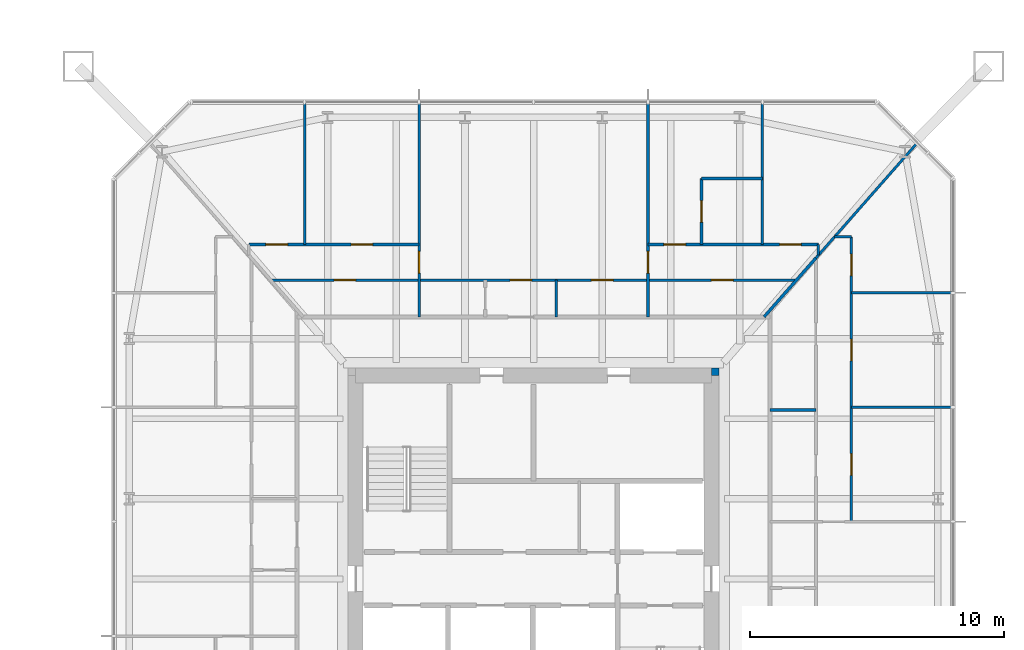
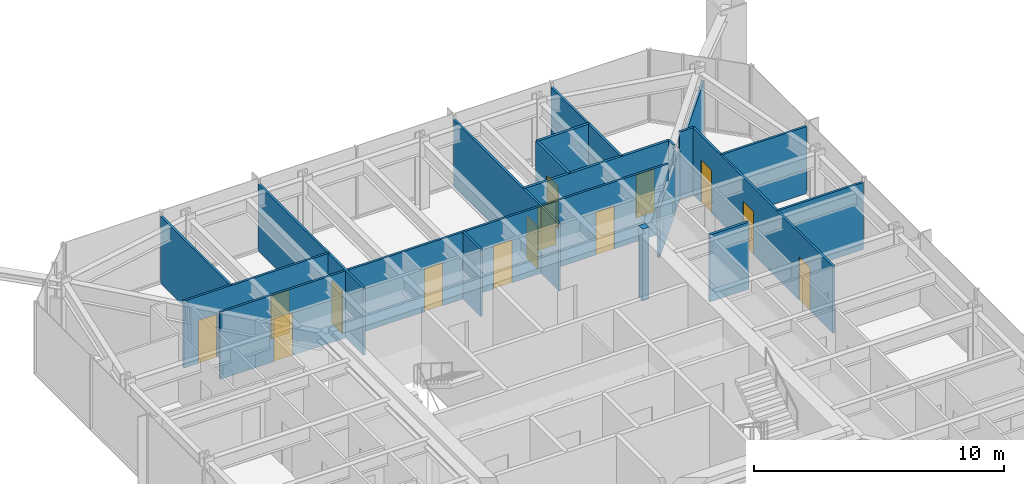
# One storey, part 21 of 26: 19 walls, 14 doors, 14 openings.
"""IFC4 building model written with IfcOpenShell, lengths in metres."""

from ifc_helpers import new_model, si_unit, direction, frame, frame_2d, origin, place, context, subcontext, project, spatial, rectangle, extrude, material, layer, layer_set, type_object, element, fill, save


model = new_model("IFC4")

# Units and contexts
model_context = context("Model", 3, precision=1e-05, world=origin(), true_north=direction((0.0, 1.0)))
body_context = subcontext(model_context, "Body", "Model", "MODEL_VIEW")
ifc_project = project(units=[si_unit("LENGTHUNIT", "METRE"), si_unit("AREAUNIT", "SQUARE_METRE"), si_unit("VOLUMEUNIT", "CUBIC_METRE"), si_unit("PLANEANGLEUNIT", "RADIAN"), si_unit("MASSUNIT", "GRAM", prefix="KILO")], contexts=[model_context])

# Site, building, storey
site_placement = place(None, origin())
site = spatial("IfcSite", under=ifc_project, at=site_placement, CompositionType="ELEMENT")
building_placement = place(site_placement, origin())
building = spatial("IfcBuilding", under=site, at=building_placement, Name="Iwan Alto Co-Living Towers", CompositionType="ELEMENT")
storey_placement = place(building_placement, frame((0.0, 0.0, 29.0)))
storey = spatial("IfcBuildingStorey", under=building, at=storey_placement, Name="L07", CompositionType="ELEMENT", Elevation=29.0)

# Walls
ifc_material_1 = material(Name="Gypsum board")
ifc_layer_1 = layer(ifc_material_1, 0.012451171875, Name="Board", Category="Finish")
ifc_material_2 = material(Name="Steel ASTM A1003 ST33H cold-formed studs", Category="steel")
ifc_layer_2 = layer(ifc_material_2, 0.074951171875, Name="Studs", Category="Framing")
ifc_layer_3 = layer(ifc_material_1, 0.012451171875, Name="Board", Category="Finish")
ifc_layer_set_1 = layer_set([ifc_layer_1, ifc_layer_2, ifc_layer_3], Name="PARTITION 100")
wall_type_1 = type_object("IfcWallType", Name="PARTITION 100", PredefinedType="PARTITIONING", material=ifc_layer_set_1)
for number, where, z_axis, x_axis, name in (
    (1, (75.5, 6.75, 0.0), (0.0, 0.0, 1.0), (1.0, 0.0, 0.0), "Partition L07"),
    (2, (75.5, 11.25, 0.0), (0.0, 0.0, 1.0), (1.0, 0.0, 0.0), "Partition L07"),
):
    element("IfcWall", number, at=place(storey_placement, frame(where, z_axis=z_axis, x_axis=x_axis)), inside=storey, type_object=wall_type_1, Name=name, PredefinedType="PARTITIONING", context=body_context, shape_type="SweptSolid", body=[
        extrude(rectangle(XDim=3.93994140625, YDim=0.10009765625, at=frame_2d((1.969970703125, 0.0))), origin(), (0.0, 0.0, 1.0), 3.27001953125),
    ])

# Wall, openings, doors
wall_1_placement = place(storey_placement, frame((52.659912109375, 11.75, 0.0), z_axis=(0.0, 0.0, 1.0), x_axis=(1.0, 0.0, 0.0)))
wall_1 = element("IfcWall", 3, at=wall_1_placement, inside=storey, type_object=wall_type_1, Name="Partition L07", PredefinedType="PARTITIONING", context=body_context, shape_type="SweptSolid", body=[
    extrude(rectangle(XDim=20.68017578125, YDim=0.10009765625, at=frame_2d((10.340087890625, 0.0))), origin(), (0.0, 0.0, 1.0), 3.27001953125),
])
opening_1_placement = place(wall_1_placement, frame((12.614990234375, 0.0, 0.0)))
opening_1 = element("IfcOpeningElement", 4, at=opening_1_placement, cuts=wall_1, Name="Opening D2", PredefinedType="OPENING", context=body_context, shape_type="SweptSolid", body=[
    extrude(rectangle(XDim=0.85009765625, YDim=2.10009765625, at=frame_2d((0.425048828125, 1.050048828125))), frame((0.0, 0.06005859375, 0.0), z_axis=(0.0, -1.0, 0.0), x_axis=(1.0, 0.0, 0.0)), (0.0, 0.0, 1.0), 0.1201171875),
])
opening_2_placement = place(wall_1_placement, frame((9.4150390625, 0.0, 0.0)))
opening_2 = element("IfcOpeningElement", 5, at=opening_2_placement, cuts=wall_1, Name="Opening D2", PredefinedType="OPENING", context=body_context, shape_type="SweptSolid", body=[
    extrude(rectangle(XDim=0.85009765625, YDim=2.10009765625, at=frame_2d((0.425048828125, 1.050048828125))), frame((0.0, 0.06005859375, 0.0), z_axis=(0.0, -1.0, 0.0), x_axis=(1.0, 0.0, 0.0)), (0.0, 0.0, 1.0), 0.1201171875),
])
opening_3_placement = place(wall_1_placement, frame((17.3349609375, 0.0, 0.0)))
opening_3 = element("IfcOpeningElement", 6, at=opening_3_placement, cuts=wall_1, Name="Opening D2", PredefinedType="OPENING", context=body_context, shape_type="SweptSolid", body=[
    extrude(rectangle(XDim=0.85009765625, YDim=2.10009765625, at=frame_2d((0.425048828125, 1.050048828125))), frame((0.0, 0.06005859375, 0.0), z_axis=(0.0, -1.0, 0.0), x_axis=(1.0, 0.0, 0.0)), (0.0, 0.0, 1.0), 0.1201171875),
])
opening_4_placement = place(wall_1_placement, frame((2.4951171875, 0.0, 0.0)))
opening_4 = element("IfcOpeningElement", 7, at=opening_4_placement, cuts=wall_1, Name="Opening D2", PredefinedType="OPENING", context=body_context, shape_type="SweptSolid", body=[
    extrude(rectangle(XDim=0.85009765625, YDim=2.10009765625, at=frame_2d((0.425048828125, 1.050048828125))), frame((0.0, 0.06005859375, 0.0), z_axis=(0.0, -1.0, 0.0), x_axis=(1.0, 0.0, 0.0)), (0.0, 0.0, 1.0), 0.1201171875),
])
ifc_material_3 = material(Name="Timber leaf in steel frame", Category="steel")
door_type = type_object("IfcDoorType", Name="ROOM DOOR 850X2100", OperationType="SINGLE_SWING_LEFT", PredefinedType="DOOR", material=ifc_material_3)
door_1_placement = place(opening_1_placement, origin())
door_1 = element("IfcDoor", 8, at=door_1_placement, inside=storey, type_object=door_type, Name="Kitchen door L07", OperationType="SINGLE_SWING_RIGHT", OverallHeight=2.10009765625, OverallWidth=0.85009765625, PredefinedType="DOOR", context=body_context, shape_type="SweptSolid", body=[
    extrude(rectangle(XDim=0.85009765625, YDim=2.10009765625, at=frame_2d((0.425048828125, 1.050048828125))), frame((0.0, 0.02490234375, 0.0), z_axis=(0.0, -1.0, 0.0), x_axis=(1.0, 0.0, 0.0)), (0.0, 0.0, 1.0), 0.050048828125),
])
fill(opening_1, door_1)
door_2_placement = place(opening_2_placement, origin())
door_2 = element("IfcDoor", 9, at=door_2_placement, inside=storey, type_object=door_type, Name="Apartment foyer door L07", OperationType="SINGLE_SWING_LEFT", OverallHeight=2.10009765625, OverallWidth=0.85009765625, PredefinedType="DOOR", context=body_context, shape_type="SweptSolid", body=[
    extrude(rectangle(XDim=0.85009765625, YDim=2.10009765625, at=frame_2d((0.425048828125, 1.050048828125))), frame((0.0, 0.02490234375, 0.0), z_axis=(0.0, -1.0, 0.0), x_axis=(1.0, 0.0, 0.0)), (0.0, 0.0, 1.0), 0.050048828125),
])
fill(opening_2, door_2)
door_3_placement = place(opening_3_placement, frame((0.85009765625, 0.0, 0.0), z_axis=(0.0, 0.0, 1.0), x_axis=(-1.0, 0.0, 0.0)))
door_3 = element("IfcDoor", 10, at=door_3_placement, inside=storey, type_object=door_type, Name="Utility room door L07", OperationType="SINGLE_SWING_LEFT", OverallHeight=2.10009765625, OverallWidth=0.85009765625, PredefinedType="DOOR", context=body_context, shape_type="SweptSolid", body=[
    extrude(rectangle(XDim=0.85009765625, YDim=2.10009765625, at=frame_2d((0.425048828125, 1.050048828125))), frame((0.0, 0.02490234375, 0.0), z_axis=(0.0, -1.0, 0.0), x_axis=(1.0, 0.0, 0.0)), (0.0, 0.0, 1.0), 0.050048828125),
])
fill(opening_3, door_3)
door_4_placement = place(opening_4_placement, frame((0.85009765625, 0.0, 0.0), z_axis=(0.0, 0.0, 1.0), x_axis=(-1.0, 0.0, 0.0)))
door_4 = element("IfcDoor", 11, at=door_4_placement, inside=storey, type_object=door_type, Name="Utility room door L07", OperationType="SINGLE_SWING_RIGHT", OverallHeight=2.10009765625, OverallWidth=0.85009765625, PredefinedType="DOOR", context=body_context, shape_type="SweptSolid", body=[
    extrude(rectangle(XDim=0.85009765625, YDim=2.10009765625, at=frame_2d((0.425048828125, 1.050048828125))), frame((0.0, 0.02490234375, 0.0), z_axis=(0.0, -1.0, 0.0), x_axis=(1.0, 0.0, 0.0)), (0.0, 0.0, 1.0), 0.050048828125),
])
fill(opening_4, door_4)

wall_2_placement = place(storey_placement, frame((51.800048828125, 13.14990234375, 0.0), z_axis=(0.0, 0.0, 1.0), x_axis=(1.0, 0.0, 0.0)))
wall_2 = element("IfcWall", 12, at=wall_2_placement, inside=storey, type_object=wall_type_1, Name="Partition L07", PredefinedType="PARTITIONING", context=body_context, shape_type="SweptSolid", body=[
    extrude(rectangle(XDim=6.699951171875, YDim=0.10009765625, at=frame_2d((3.35009765625, 0.0))), origin(), (0.0, 0.0, 1.0), 3.27001953125),
])
opening_5_placement = place(wall_2_placement, frame((4.02490234375, 0.0, 0.0)))
opening_5 = element("IfcOpeningElement", 13, at=opening_5_placement, cuts=wall_2, Name="Opening D2", PredefinedType="OPENING", context=body_context, shape_type="SweptSolid", body=[
    extrude(rectangle(XDim=0.85009765625, YDim=2.10009765625, at=frame_2d((0.425048828125, 1.050048828125))), frame((0.0, 0.06005859375, 0.0), z_axis=(0.0, -1.0, 0.0), x_axis=(1.0, 0.0, 0.0)), (0.0, 0.0, 1.0), 0.1201171875),
])
opening_6_placement = place(wall_2_placement, frame((0.675048828125, 0.0, 0.0)))
opening_6 = element("IfcOpeningElement", 14, at=opening_6_placement, cuts=wall_2, Name="Opening D2", PredefinedType="OPENING", context=body_context, shape_type="SweptSolid", body=[
    extrude(rectangle(XDim=0.85009765625, YDim=2.10009765625, at=frame_2d((0.425048828125, 1.050048828125))), frame((0.0, 0.06005859375, 0.0), z_axis=(0.0, -1.0, 0.0), x_axis=(1.0, 0.0, 0.0)), (0.0, 0.0, 1.0), 0.1201171875),
])
door_5_placement = place(opening_5_placement, origin())
door_5 = element("IfcDoor", 15, at=door_5_placement, inside=storey, type_object=door_type, Name="Study door L07", OperationType="SINGLE_SWING_LEFT", OverallHeight=2.10009765625, OverallWidth=0.85009765625, PredefinedType="DOOR", context=body_context, shape_type="SweptSolid", body=[
    extrude(rectangle(XDim=0.85009765625, YDim=2.10009765625, at=frame_2d((0.425048828125, 1.050048828125))), frame((0.0, 0.02490234375, 0.0), z_axis=(0.0, -1.0, 0.0), x_axis=(1.0, 0.0, 0.0)), (0.0, 0.0, 1.0), 0.050048828125),
])
fill(opening_5, door_5)
door_6_placement = place(opening_6_placement, origin())
door_6 = element("IfcDoor", 16, at=door_6_placement, inside=storey, type_object=door_type, Name="Bedroom door L07", OperationType="SINGLE_SWING_RIGHT", OverallHeight=2.10009765625, OverallWidth=0.85009765625, PredefinedType="DOOR", context=body_context, shape_type="SweptSolid", body=[
    extrude(rectangle(XDim=0.85009765625, YDim=2.10009765625, at=frame_2d((0.425048828125, 1.050048828125))), frame((0.0, 0.02490234375, 0.0), z_axis=(0.0, -1.0, 0.0), x_axis=(1.0, 0.0, 0.0)), (0.0, 0.0, 1.0), 0.050048828125),
])
fill(opening_6, door_6)

# Walls
wall_3_placement = place(storey_placement, frame((74.8359375, 13.449951171875, 0.0), z_axis=(0.0, 0.0, 1.0), x_axis=(1.0, 0.0, 0.0)))
element("IfcWall", 17, at=wall_3_placement, inside=storey, type_object=wall_type_1, Name="Partition L07", PredefinedType="PARTITIONING", context=body_context, shape_type="SweptSolid", body=[
    extrude(rectangle(XDim=0.6640625, YDim=0.10009765625, at=frame_2d((0.33203125, 0.0))), origin(), (0.0, 0.0, 1.0), 3.27001953125),
])
wall_4_placement = place(storey_placement, frame((74.10009765625, 12.614013671875, 0.0), z_axis=(0.0, 0.0, 1.0), x_axis=(0.660755619739, 0.750601099775, 0.0)))
element("IfcWall", 18, at=wall_4_placement, inside=storey, type_object=wall_type_1, Name="Partition L07", PredefinedType="PARTITIONING", context=body_context, shape_type="SweptSolid", body=[
    extrude(rectangle(XDim=5.989013671875, YDim=0.10009765625, at=frame_2d((2.99462890625, 0.0))), origin(), (0.0, 0.0, 1.0), 2.42919921875),
])

# Wall, openings, doors
wall_5_placement = place(storey_placement, frame((75.5, 2.25, 0.0), z_axis=(0.0, 0.0, 1.0), x_axis=(0.0, 1.0, 0.0)))
wall_5 = element("IfcWall", 19, at=wall_5_placement, inside=storey, type_object=wall_type_1, Name="Partition L07", PredefinedType="PARTITIONING", context=body_context, shape_type="SweptSolid", body=[
    extrude(rectangle(XDim=11.199951171875, YDim=0.10009765625, at=frame_2d((5.60009765625, 0.0))), origin(), (0.0, 0.0, 1.0), 3.27001953125),
])
opening_7_placement = place(wall_5_placement, frame((1.824951171875, 0.0, 0.0)))
opening_7 = element("IfcOpeningElement", 20, at=opening_7_placement, cuts=wall_5, Name="Opening D2", PredefinedType="OPENING", context=body_context, shape_type="SweptSolid", body=[
    extrude(rectangle(XDim=0.85009765625, YDim=2.10009765625, at=frame_2d((0.425048828125, 1.050048828125))), frame((0.0, 0.06005859375, 0.0), z_axis=(0.0, -1.0, 0.0), x_axis=(1.0, 0.0, 0.0)), (0.0, 0.0, 1.0), 0.1201171875),
])
opening_8_placement = place(wall_5_placement, frame((6.324951171875, 0.0, 0.0)))
opening_8 = element("IfcOpeningElement", 21, at=opening_8_placement, cuts=wall_5, Name="Opening D2", PredefinedType="OPENING", context=body_context, shape_type="SweptSolid", body=[
    extrude(rectangle(XDim=0.85009765625, YDim=2.10009765625, at=frame_2d((0.425048828125, 1.050048828125))), frame((0.0, 0.06005859375, 0.0), z_axis=(0.0, -1.0, 0.0), x_axis=(1.0, 0.0, 0.0)), (0.0, 0.0, 1.0), 0.1201171875),
])
opening_9_placement = place(wall_5_placement, frame((9.675048828125, 0.0, 0.0)))
opening_9 = element("IfcOpeningElement", 22, at=opening_9_placement, cuts=wall_5, Name="Opening D2", PredefinedType="OPENING", context=body_context, shape_type="SweptSolid", body=[
    extrude(rectangle(XDim=0.85009765625, YDim=2.10009765625, at=frame_2d((0.425048828125, 1.050048828125))), frame((0.0, 0.06005859375, 0.0), z_axis=(0.0, -1.0, 0.0), x_axis=(1.0, 0.0, 0.0)), (0.0, 0.0, 1.0), 0.1201171875),
])
door_7_placement = place(opening_7_placement, frame((0.85009765625, 0.0, 0.0), z_axis=(0.0, 0.0, 1.0), x_axis=(-1.0, 0.0, 0.0)))
door_7 = element("IfcDoor", 23, at=door_7_placement, inside=storey, type_object=door_type, Name="Family room door L07", OperationType="SINGLE_SWING_RIGHT", OverallHeight=2.10009765625, OverallWidth=0.85009765625, PredefinedType="DOOR", context=body_context, shape_type="SweptSolid", body=[
    extrude(rectangle(XDim=0.85009765625, YDim=2.10009765625, at=frame_2d((0.425048828125, 1.050048828125))), frame((0.0, 0.02490234375, 0.0), z_axis=(0.0, -1.0, 0.0), x_axis=(1.0, 0.0, 0.0)), (0.0, 0.0, 1.0), 0.050048828125),
])
fill(opening_7, door_7)
door_8_placement = place(opening_8_placement, frame((0.85009765625, 0.0, 0.0), z_axis=(0.0, 0.0, 1.0), x_axis=(-1.0, 0.0, 0.0)))
door_8 = element("IfcDoor", 24, at=door_8_placement, inside=storey, type_object=door_type, Name="Bedroom door L07", OperationType="SINGLE_SWING_RIGHT", OverallHeight=2.10009765625, OverallWidth=0.85009765625, PredefinedType="DOOR", context=body_context, shape_type="SweptSolid", body=[
    extrude(rectangle(XDim=0.85009765625, YDim=2.10009765625, at=frame_2d((0.425048828125, 1.050048828125))), frame((0.0, 0.02490234375, 0.0), z_axis=(0.0, -1.0, 0.0), x_axis=(1.0, 0.0, 0.0)), (0.0, 0.0, 1.0), 0.050048828125),
])
fill(opening_8, door_8)
door_9_placement = place(opening_9_placement, frame((0.85009765625, 0.0, 0.0), z_axis=(0.0, 0.0, 1.0), x_axis=(-1.0, 0.0, 0.0)))
door_9 = element("IfcDoor", 25, at=door_9_placement, inside=storey, type_object=door_type, Name="Study door L07", OperationType="SINGLE_SWING_RIGHT", OverallHeight=2.10009765625, OverallWidth=0.85009765625, PredefinedType="DOOR", context=body_context, shape_type="SweptSolid", body=[
    extrude(rectangle(XDim=0.85009765625, YDim=2.10009765625, at=frame_2d((0.425048828125, 1.050048828125))), frame((0.0, 0.02490234375, 0.0), z_axis=(0.0, -1.0, 0.0), x_axis=(1.0, 0.0, 0.0)), (0.0, 0.0, 1.0), 0.050048828125),
])
fill(opening_9, door_9)

# Walls
wall_6_placement = place(storey_placement, frame((74.199951171875, 12.72705078125, 0.0), z_axis=(0.0, 0.0, 1.0), x_axis=(0.0, 1.0, 0.0)))
element("IfcWall", 26, at=wall_6_placement, inside=storey, type_object=wall_type_1, Name="Partition L07", PredefinedType="PARTITIONING", context=body_context, shape_type="SweptSolid", body=[
    extrude(rectangle(XDim=0.4228515625, YDim=0.10009765625, at=frame_2d((0.21142578125, 0.0))), origin(), (0.0, 0.0, 1.0), 3.27001953125),
])
wall_7_placement = place(storey_placement, frame((72.0, 13.14990234375, 0.0), z_axis=(0.0, 0.0, 1.0), x_axis=(0.0, 1.0, 0.0)))
element("IfcWall", 27, at=wall_7_placement, inside=storey, type_object=wall_type_1, Name="Partition L07", PredefinedType="PARTITIONING", context=body_context, shape_type="SweptSolid", body=[
    extrude(rectangle(XDim=5.5400390625, YDim=0.10009765625, at=frame_2d((2.77001953125, 0.0))), origin(), (0.0, 0.0, 1.0), 3.27001953125),
])

# Wall, opening, door
wall_8_placement = place(storey_placement, frame((67.5, 10.300048828125, 0.0), z_axis=(0.0, 0.0, 1.0), x_axis=(0.0, 1.0, 0.0)))
wall_8 = element("IfcWall", 28, at=wall_8_placement, inside=storey, type_object=wall_type_1, Name="Partition L07", PredefinedType="PARTITIONING", context=body_context, shape_type="SweptSolid", body=[
    extrude(rectangle(XDim=8.389892578125, YDim=0.10009765625, at=frame_2d((4.19482421875, 0.0))), origin(), (0.0, 0.0, 1.0), 3.27001953125),
])
opening_10_placement = place(wall_8_placement, frame((1.72509765625, 0.0, 0.0)))
opening_10 = element("IfcOpeningElement", 29, at=opening_10_placement, cuts=wall_8, Name="Opening D2", PredefinedType="OPENING", context=body_context, shape_type="SweptSolid", body=[
    extrude(rectangle(XDim=0.85009765625, YDim=2.10009765625, at=frame_2d((0.425048828125, 1.050048828125))), frame((0.0, 0.06005859375, 0.0), z_axis=(0.0, -1.0, 0.0), x_axis=(1.0, 0.0, 0.0)), (0.0, 0.0, 1.0), 0.1201171875),
])
door_10_placement = place(opening_10_placement, origin())
door_10 = element("IfcDoor", 30, at=door_10_placement, inside=storey, type_object=door_type, Name="Apartment hall door L07", OperationType="SINGLE_SWING_LEFT", OverallHeight=2.10009765625, OverallWidth=0.85009765625, PredefinedType="DOOR", context=body_context, shape_type="SweptSolid", body=[
    extrude(rectangle(XDim=0.85009765625, YDim=2.10009765625, at=frame_2d((0.425048828125, 1.050048828125))), frame((0.0, 0.02490234375, 0.0), z_axis=(0.0, -1.0, 0.0), x_axis=(1.0, 0.0, 0.0)), (0.0, 0.0, 1.0), 0.050048828125),
])
fill(opening_10, door_10)

# Wall
wall_9_placement = place(storey_placement, frame((63.89990234375, 10.300048828125, 0.0), z_axis=(0.0, 0.0, 1.0), x_axis=(0.0, 1.0, 0.0)))
element("IfcWall", 31, at=wall_9_placement, inside=storey, type_object=wall_type_1, Name="Partition L07", PredefinedType="PARTITIONING", context=body_context, shape_type="SweptSolid", body=[
    extrude(rectangle(XDim=1.449951171875, YDim=0.10009765625, at=frame_2d((0.72509765625, 0.0))), origin(), (0.0, 0.0, 1.0), 3.27001953125),
])

# Wall, opening, door
wall_10_placement = place(storey_placement, frame((58.5, 10.300048828125, 0.0), z_axis=(0.0, 0.0, 1.0), x_axis=(0.0, 1.0, 0.0)))
wall_10 = element("IfcWall", 32, at=wall_10_placement, inside=storey, type_object=wall_type_1, Name="Partition L07", PredefinedType="PARTITIONING", context=body_context, shape_type="SweptSolid", body=[
    extrude(rectangle(XDim=8.389892578125, YDim=0.10009765625, at=frame_2d((4.19482421875, 0.0))), origin(), (0.0, 0.0, 1.0), 3.27001953125),
])
opening_11_placement = place(wall_10_placement, frame((1.72509765625, 0.0, 0.0)))
opening_11 = element("IfcOpeningElement", 33, at=opening_11_placement, cuts=wall_10, Name="Opening D2", PredefinedType="OPENING", context=body_context, shape_type="SweptSolid", body=[
    extrude(rectangle(XDim=0.85009765625, YDim=2.10009765625, at=frame_2d((0.425048828125, 1.050048828125))), frame((0.0, 0.06005859375, 0.0), z_axis=(0.0, -1.0, 0.0), x_axis=(1.0, 0.0, 0.0)), (0.0, 0.0, 1.0), 0.1201171875),
])
door_11_placement = place(opening_11_placement, frame((0.85009765625, 0.0, 0.0), z_axis=(0.0, 0.0, 1.0), x_axis=(-1.0, 0.0, 0.0)))
door_11 = element("IfcDoor", 34, at=door_11_placement, inside=storey, type_object=door_type, Name="Apartment hall door L07", OperationType="SINGLE_SWING_RIGHT", OverallHeight=2.10009765625, OverallWidth=0.85009765625, PredefinedType="DOOR", context=body_context, shape_type="SweptSolid", body=[
    extrude(rectangle(XDim=0.85009765625, YDim=2.10009765625, at=frame_2d((0.425048828125, 1.050048828125))), frame((0.0, 0.02490234375, 0.0), z_axis=(0.0, -1.0, 0.0), x_axis=(1.0, 0.0, 0.0)), (0.0, 0.0, 1.0), 0.050048828125),
])
fill(opening_11, door_11)

# Walls
wall_11_placement = place(storey_placement, frame((54.0, 13.14990234375, 0.0), z_axis=(0.0, 0.0, 1.0), x_axis=(0.0, 1.0, 0.0)))
element("IfcWall", 35, at=wall_11_placement, inside=storey, type_object=wall_type_1, Name="Partition L07", PredefinedType="PARTITIONING", context=body_context, shape_type="SweptSolid", body=[
    extrude(rectangle(XDim=5.5400390625, YDim=0.10009765625, at=frame_2d((2.77001953125, 0.0))), origin(), (0.0, 0.0, 1.0), 3.27001953125),
])
ifc_material_4 = material(Name="Concrete f'c 70 MPa", Category="concrete")
ifc_layer_4 = layer(ifc_material_4, 0.300048828125)
ifc_layer_set_2 = layer_set([ifc_layer_4], Name="T2 CORE CORNER FILL 300")
wall_type_2 = type_object("IfcWallType", Name="T2 CORE CORNER FILL 300", PredefinedType="SOLIDWALL", material=ifc_layer_set_2)
wall_12_placement = place(storey_placement, frame((70.0, 8.14990234375, 0.0), z_axis=(0.0, 0.0, 1.0), x_axis=(1.0, 0.0, 0.0)))
element("IfcWall", 36, at=wall_12_placement, inside=storey, type_object=wall_type_2, Name="T2 core corner NE L07", PredefinedType="SOLIDWALL", context=body_context, shape_type="SweptSolid", body=[
    extrude(rectangle(XDim=0.300048828125, YDim=0.300048828125, at=frame_2d((0.14990234375, 0.0))), origin(), (0.0, 0.0, 1.0), 3.5),
])
ifc_material_5 = material(Name="Cement board")
ifc_layer_5 = layer(ifc_material_5, 0.012451171875, Name="Board", Category="Finish")
ifc_layer_6 = layer(ifc_material_2, 0.094970703125, Name="Studs", Category="Framing")
ifc_layer_7 = layer(ifc_material_5, 0.012451171875, Name="Board", Category="Finish")
ifc_layer_set_3 = layer_set([ifc_layer_5, ifc_layer_6, ifc_layer_7], Name="WET AREA PARTITION 120")
wall_type_3 = type_object("IfcWallType", Name="WET AREA PARTITION 120", PredefinedType="PARTITIONING", material=ifc_layer_set_3)
wall_13_placement = place(storey_placement, frame((72.300048828125, 6.64990234375, 0.0), z_axis=(0.0, 0.0, 1.0), x_axis=(1.0, 0.0, 0.0)))
element("IfcWall", 37, at=wall_13_placement, inside=storey, type_object=wall_type_3, Name="Partition L07", PredefinedType="PARTITIONING", context=body_context, shape_type="SweptSolid", body=[
    extrude(rectangle(XDim=1.800048828125, YDim=0.1201171875, at=frame_2d((0.89990234375, 0.0))), origin(), (0.0, 0.0, 1.0), 3.27001953125),
])

# Wall, openings, doors
wall_14_placement = place(storey_placement, frame((67.5, 13.14990234375, 0.0), z_axis=(0.0, 0.0, 1.0), x_axis=(1.0, 0.0, 0.0)))
wall_14 = element("IfcWall", 38, at=wall_14_placement, inside=storey, type_object=wall_type_3, Name="Partition L07", PredefinedType="PARTITIONING", context=body_context, shape_type="SweptSolid", body=[
    extrude(rectangle(XDim=6.699951171875, YDim=0.1201171875, at=frame_2d((3.35009765625, 0.0))), origin(), (0.0, 0.0, 1.0), 3.27001953125),
])
opening_12_placement = place(wall_14_placement, frame((0.625, 0.0, 0.0)))
opening_12 = element("IfcOpeningElement", 39, at=opening_12_placement, cuts=wall_14, Name="Opening D2", PredefinedType="OPENING", context=body_context, shape_type="SweptSolid", body=[
    extrude(rectangle(XDim=0.85009765625, YDim=2.10009765625, at=frame_2d((0.425048828125, 1.050048828125))), frame((0.0, 0.070068359375, 0.0), z_axis=(0.0, -1.0, 0.0), x_axis=(1.0, 0.0, 0.0)), (0.0, 0.0, 1.0), 0.14013671875),
])
opening_13_placement = place(wall_14_placement, frame((5.175048828125, 0.0, 0.0)))
opening_13 = element("IfcOpeningElement", 40, at=opening_13_placement, cuts=wall_14, Name="Opening D2", PredefinedType="OPENING", context=body_context, shape_type="SweptSolid", body=[
    extrude(rectangle(XDim=0.85009765625, YDim=2.10009765625, at=frame_2d((0.425048828125, 1.050048828125))), frame((0.0, 0.070068359375, 0.0), z_axis=(0.0, -1.0, 0.0), x_axis=(1.0, 0.0, 0.0)), (0.0, 0.0, 1.0), 0.14013671875),
])
door_12_placement = place(opening_12_placement, origin())
door_12 = element("IfcDoor", 41, at=door_12_placement, inside=storey, type_object=door_type, Name="Bedroom door L07", OperationType="SINGLE_SWING_LEFT", OverallHeight=2.10009765625, OverallWidth=0.85009765625, PredefinedType="DOOR", context=body_context, shape_type="SweptSolid", body=[
    extrude(rectangle(XDim=0.85009765625, YDim=2.10009765625, at=frame_2d((0.425048828125, 1.050048828125))), frame((0.0, 0.02490234375, 0.0), z_axis=(0.0, -1.0, 0.0), x_axis=(1.0, 0.0, 0.0)), (0.0, 0.0, 1.0), 0.050048828125),
])
fill(opening_12, door_12)
door_13_placement = place(opening_13_placement, origin())
door_13 = element("IfcDoor", 42, at=door_13_placement, inside=storey, type_object=door_type, Name="Bedroom door L07", OperationType="SINGLE_SWING_LEFT", OverallHeight=2.10009765625, OverallWidth=0.85009765625, PredefinedType="DOOR", context=body_context, shape_type="SweptSolid", body=[
    extrude(rectangle(XDim=0.85009765625, YDim=2.10009765625, at=frame_2d((0.425048828125, 1.050048828125))), frame((0.0, 0.02490234375, 0.0), z_axis=(0.0, -1.0, 0.0), x_axis=(1.0, 0.0, 0.0)), (0.0, 0.0, 1.0), 0.050048828125),
])
fill(opening_13, door_13)

# Walls
wall_15_placement = place(storey_placement, frame((69.60009765625, 15.75, 0.0), z_axis=(0.0, 0.0, 1.0), x_axis=(1.0, 0.0, 0.0)))
element("IfcWall", 43, at=wall_15_placement, inside=storey, type_object=wall_type_3, Name="Partition L07", PredefinedType="PARTITIONING", context=body_context, shape_type="SweptSolid", body=[
    extrude(rectangle(XDim=2.39990234375, YDim=0.1201171875, at=frame_2d((1.199951171875, 0.0))), origin(), (0.0, 0.0, 1.0), 3.27001953125),
])
wall_16_placement = place(storey_placement, frame((72.0634765625, 10.300537109375, 0.0), z_axis=(0.0, 0.0, 1.0), x_axis=(0.660761820138, 0.750595641506, 0.0)))
element("IfcWall", 44, at=wall_16_placement, inside=storey, type_object=wall_type_3, Name="Partition L07", PredefinedType="PARTITIONING", context=body_context, shape_type="SweptSolid", body=[
    extrude(rectangle(XDim=3.081787109375, YDim=0.1201171875, at=frame_2d((1.541015625, 0.0))), origin(), (0.0, 0.0, 1.0), 2.42919921875),
])

# Wall, opening, door
wall_17_placement = place(storey_placement, frame((69.60009765625, 13.14990234375, 0.0), z_axis=(0.0, 0.0, 1.0), x_axis=(0.0, 1.0, 0.0)))
wall_17 = element("IfcWall", 45, at=wall_17_placement, inside=storey, type_object=wall_type_3, Name="Partition L07", PredefinedType="PARTITIONING", context=body_context, shape_type="SweptSolid", body=[
    extrude(rectangle(XDim=2.60009765625, YDim=0.1201171875, at=frame_2d((1.300048828125, 0.0))), origin(), (0.0, 0.0, 1.0), 3.27001953125),
])
opening_14_placement = place(wall_17_placement, frame((0.875, 0.0, 0.0)))
opening_14 = element("IfcOpeningElement", 46, at=opening_14_placement, cuts=wall_17, Name="Opening D2", PredefinedType="OPENING", context=body_context, shape_type="SweptSolid", body=[
    extrude(rectangle(XDim=0.85009765625, YDim=2.10009765625, at=frame_2d((0.425048828125, 1.050048828125))), frame((0.0, 0.070068359375, 0.0), z_axis=(0.0, -1.0, 0.0), x_axis=(1.0, 0.0, 0.0)), (0.0, 0.0, 1.0), 0.14013671875),
])
door_14_placement = place(opening_14_placement, origin())
door_14 = element("IfcDoor", 47, at=door_14_placement, inside=storey, type_object=door_type, Name="En-suite shower room door L07", OperationType="SINGLE_SWING_LEFT", OverallHeight=2.10009765625, OverallWidth=0.85009765625, PredefinedType="DOOR", context=body_context, shape_type="SweptSolid", body=[
    extrude(rectangle(XDim=0.85009765625, YDim=2.10009765625, at=frame_2d((0.425048828125, 1.050048828125))), frame((0.0, 0.02490234375, 0.0), z_axis=(0.0, -1.0, 0.0), x_axis=(1.0, 0.0, 0.0)), (0.0, 0.0, 1.0), 0.050048828125),
])
fill(opening_14, door_14)

save(model, "model.ifc")
